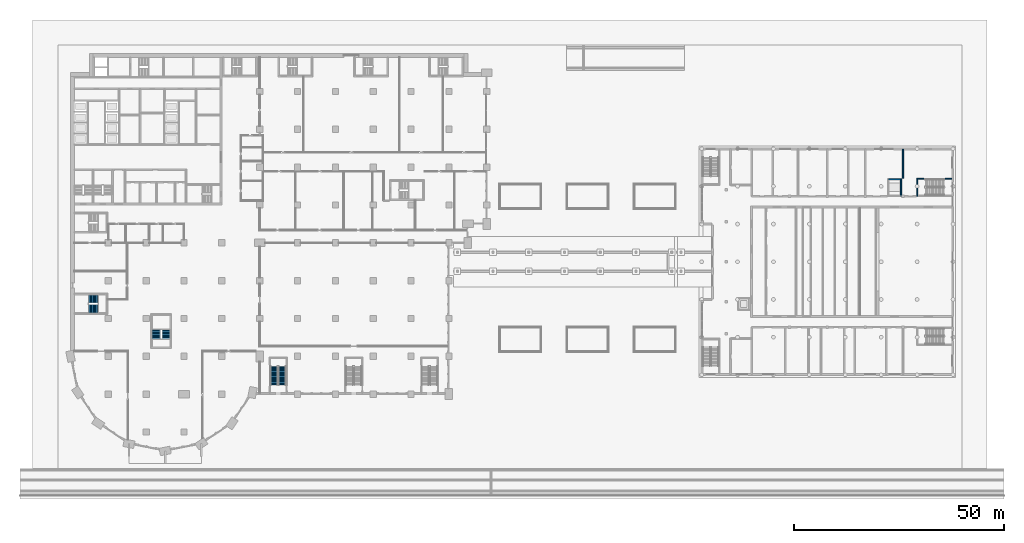
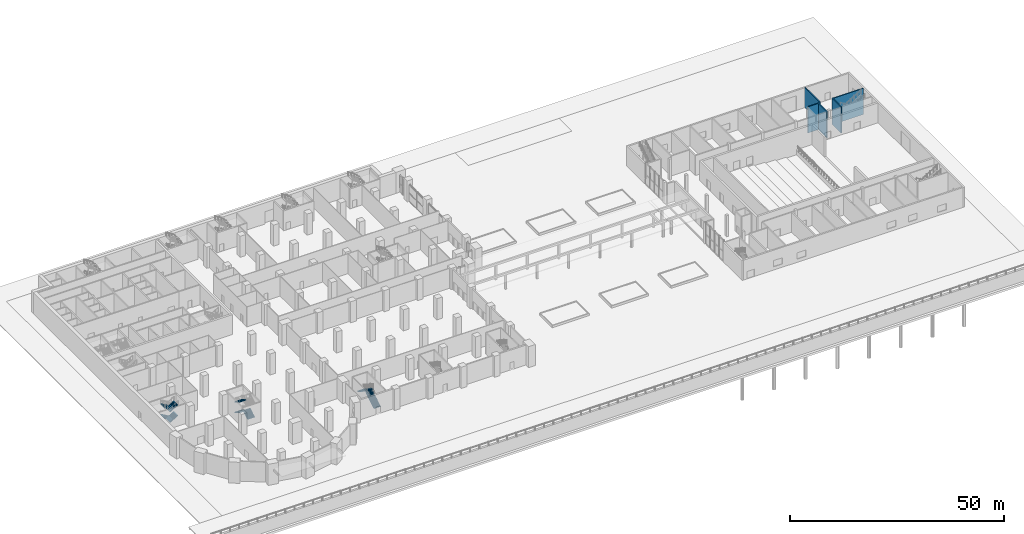
# One storey, part 28 of 47: 9 stair flights, 5 walls, 3 elements without a shape of their own.
"""IFC4 building model written with IfcOpenShell, lengths in metres."""

from ifc_helpers import new_model, si_unit, direction, frame, frame_2d, origin, place, context, subcontext, project, spatial, polyline, rectangle, outline, extrude, material, layer, layer_set, type_object, element, aggregate, save


model = new_model("IFC4")

# Units and contexts
model_context = context("Model", 3, precision=1e-05, world=origin(), true_north=direction((0.0, 1.0)))
body_context = subcontext(model_context, "Body", "Model", "MODEL_VIEW")
ifc_project = project(units=[si_unit("LENGTHUNIT", "METRE"), si_unit("AREAUNIT", "SQUARE_METRE"), si_unit("VOLUMEUNIT", "CUBIC_METRE"), si_unit("PLANEANGLEUNIT", "RADIAN"), si_unit("MASSUNIT", "GRAM", prefix="KILO")], contexts=[model_context])

# Site, building, storey
site_placement = place(None, origin())
site = spatial("IfcSite", under=ifc_project, at=site_placement, CompositionType="ELEMENT")
building_placement = place(site_placement, origin())
building = spatial("IfcBuilding", under=site, at=building_placement, Name="Hunhe Ridgeline Campus", CompositionType="ELEMENT")
storey_placement = place(building_placement, origin())
storey = spatial("IfcBuildingStorey", under=building, at=storey_placement, Name="L00", CompositionType="ELEMENT", Elevation=0.0)

# Walls
ifc_material_1 = material(Name="Plastered blockwork", Category="masonry")
ifc_layer_1 = layer(ifc_material_1, 0.300048828125)
ifc_layer_set_1 = layer_set([ifc_layer_1], Name="Hall blockwork partition 300")
wall_type_1 = type_object("IfcWallType", Name="Hall blockwork partition 300", PredefinedType="PARTITIONING", material=ifc_layer_set_1)
wall_1_placement = place(storey_placement, frame((198.0, 69.3798828125, 0.0), z_axis=(0.0, 0.0, 1.0), x_axis=(0.0, 1.0, 0.0)))
element("IfcWall", 1, at=wall_1_placement, inside=storey, type_object=wall_type_1, Name="L00 partition", PredefinedType="PARTITIONING", context=body_context, shape_type="SweptSolid", body=[
    extrude(rectangle(XDim=6.89013671875, YDim=0.300048828125, at=frame_2d((3.445068359375, 0.0))), origin(), (0.0, 0.0, 1.0), 5.64990234375),
])
ifc_material_2 = material(Name="Concrete C40", Category="concrete")
ifc_layer_2 = layer(ifc_material_2, 0.25)
ifc_layer_set_2 = layer_set([ifc_layer_2], Name="Hall shaft wall 250 C40")
wall_type_2 = type_object("IfcWallType", Name="Hall shaft wall 250 C40", PredefinedType="SOLIDWALL", material=ifc_layer_set_2)
wall_2_placement = place(storey_placement, frame((201.375, 65.10009765625, -1.800048828125), z_axis=(0.0, 0.0, 1.0), x_axis=(0.0, 1.0, 0.0)))
element("IfcWall", 2, at=wall_2_placement, inside=storey, type_object=wall_type_2, Name="L00 stair HS4 shaft wall", PredefinedType="SOLIDWALL", context=body_context, shape_type="SweptSolid", body=[
    extrude(rectangle(XDim=4.25, YDim=0.25, at=frame_2d((2.125, 0.0))), origin(), (0.0, 0.0, 1.0), 7.449951171875),
])
wall_3_placement = place(storey_placement, frame((201.5, 69.22509765625, -1.800048828125), z_axis=(0.0, 0.0, 1.0), x_axis=(1.0, 0.0, 0.0)))
element("IfcWall", 3, at=wall_3_placement, inside=storey, type_object=wall_type_2, Name="L00 stair HS4 shaft wall", PredefinedType="SOLIDWALL", context=body_context, shape_type="SweptSolid", body=[
    extrude(rectangle(XDim=8.10009765625, YDim=0.25, at=frame_2d((4.050048828125, 0.0))), origin(), (0.0, 0.0, 1.0), 7.449951171875),
])
wall_4_placement = place(storey_placement, frame((197.52490234375, 69.25, -1.800048828125), z_axis=(0.0, 0.0, 1.0), x_axis=(0.0, -1.0, 0.0)))
element("IfcWall", 4, at=wall_4_placement, inside=storey, type_object=wall_type_2, Name="L00 lift HL2 shaft wall", PredefinedType="SOLIDWALL", context=body_context, shape_type="SweptSolid", body=[
    extrude(rectangle(XDim=4.14990234375, YDim=0.25, at=frame_2d((2.074951171875, 0.0))), origin(), (0.0, 0.0, 1.0), 7.449951171875),
])
wall_5_placement = place(storey_placement, frame((194.60009765625, 69.125, -1.800048828125), z_axis=(0.0, 0.0, 1.0), x_axis=(1.0, 0.0, 0.0)))
element("IfcWall", 5, at=wall_5_placement, inside=storey, type_object=wall_type_2, Name="L00 lift HL2 shaft wall", PredefinedType="SOLIDWALL", context=body_context, shape_type="SweptSolid", body=[
    extrude(rectangle(XDim=2.7998046875, YDim=0.25, at=frame_2d((1.39990234375, 0.0))), origin(), (0.0, 0.0, 1.0), 7.449951171875),
])

# Stair, stair flights
stair_type_1 = type_object("IfcStairType", Name="Podium exit stair 1800", PredefinedType="HALF_TURN_STAIR", material=ifc_material_2)
stair_1_placement = place(storey_placement, origin())
stair_1 = element("IfcStair", 6, at=stair_1_placement, inside=storey, type_object=stair_type_1, Name="L00 podium stair PS1", PredefinedType="HALF_TURN_STAIR")
stair_flight_type_1 = type_object("IfcStairFlightType", Name="Podium stair flight 1800", PredefinedType="STRAIGHT", material=ifc_material_2)
stair_flight_1_placement = place(storey_placement, frame((50.35009765625, 20.199951171875, 0.0), z_axis=(0.0, 0.0, 1.0), x_axis=(0.0, 1.0, 0.0)))
stair_flight_1 = element("IfcStairFlight", 7, at=stair_flight_1_placement, type_object=stair_flight_type_1, Name="PS1 flight 1", NumberOfRisers=18, NumberOfTreads=17, PredefinedType="STRAIGHT", RiserHeight=0.166666667, TreadLength=0.26, context=body_context, shape_type="SweptSolid", body=[
    extrude(outline(polyline([(0.0, 0.0), (0.0, 0.166748046875), (0.260009765625, 0.166748046875), (0.260009765625, 0.333251953125), (0.52001953125, 0.333251953125), (0.52001953125, 0.5), (0.780029296875, 0.5), (0.780029296875, 0.666748046875), (1.0400390625, 0.666748046875), (1.0400390625, 0.833251953125), (1.300048828125, 0.833251953125), (1.300048828125, 1.0), (1.56005859375, 1.0), (1.56005859375, 1.166748046875), (1.820068359375, 1.166748046875), (1.820068359375, 1.333251953125), (2.080078125, 1.333251953125), (2.080078125, 1.5), (2.340087890625, 1.5), (2.340087890625, 1.666748046875), (2.60009765625, 1.666748046875), (2.60009765625, 1.833251953125), (2.860107421875, 1.833251953125), (2.860107421875, 2.0), (3.1201171875, 2.0), (3.1201171875, 2.166748046875), (3.3798828125, 2.166748046875), (3.3798828125, 2.333251953125), (3.639892578125, 2.333251953125), (3.639892578125, 2.5), (3.89990234375, 2.5), (3.89990234375, 2.666748046875), (4.159912109375, 2.666748046875), (4.159912109375, 2.833251953125), (4.419921875, 2.833251953125), (4.419921875, 3.0), (4.419921875, 2.6552734375), (0.27783203125, 0.0), (0.0, 0.0)])), frame((0.0, 0.89990234375, 0.0), z_axis=(0.0, -1.0, 0.0), x_axis=(1.0, 0.0, 0.0)), (0.0, 0.0, 1.0), 1.800048828125),
])
stair_flight_2_placement = place(storey_placement, frame((48.39990234375, 24.6201171875, 3.0), z_axis=(0.0, 0.0, 1.0), x_axis=(0.0, -1.0, 0.0)))
stair_flight_2 = element("IfcStairFlight", 8, at=stair_flight_2_placement, type_object=stair_flight_type_1, Name="PS1 flight 2", NumberOfRisers=18, NumberOfTreads=17, PredefinedType="STRAIGHT", RiserHeight=0.166666667, TreadLength=0.26, context=body_context, shape_type="SweptSolid", body=[
    extrude(outline(polyline([(0.0, 0.0), (0.0, 0.166748046875), (0.260009765625, 0.166748046875), (0.260009765625, 0.333251953125), (0.52001953125, 0.333251953125), (0.52001953125, 0.5), (0.780029296875, 0.5), (0.780029296875, 0.666748046875), (1.0400390625, 0.666748046875), (1.0400390625, 0.833251953125), (1.300048828125, 0.833251953125), (1.300048828125, 1.0), (1.56005859375, 1.0), (1.56005859375, 1.166748046875), (1.820068359375, 1.166748046875), (1.820068359375, 1.333251953125), (2.080078125, 1.333251953125), (2.080078125, 1.5), (2.340087890625, 1.5), (2.340087890625, 1.666748046875), (2.60009765625, 1.666748046875), (2.60009765625, 1.833251953125), (2.860107421875, 1.833251953125), (2.860107421875, 2.0), (3.1201171875, 2.0), (3.1201171875, 2.166748046875), (3.3798828125, 2.166748046875), (3.3798828125, 2.333251953125), (3.639892578125, 2.333251953125), (3.639892578125, 2.5), (3.89990234375, 2.5), (3.89990234375, 2.666748046875), (4.159912109375, 2.666748046875), (4.159912109375, 2.833251953125), (4.419921875, 2.833251953125), (4.419921875, 3.0), (4.419921875, 2.6552734375), (0.27783203125, 0.0), (0.0, 0.0)])), frame((0.0, 0.89990234375, 0.0), z_axis=(0.0, -1.0, 0.0), x_axis=(1.0, 0.0, 0.0)), (0.0, 0.0, 1.0), 1.800048828125),
])
aggregate(stair_1, [stair_flight_1, stair_flight_2])

stair_type_2 = type_object("IfcStairType", Name="Reinforced concrete dog-leg stair 1950 Concrete C40", PredefinedType="HALF_TURN_STAIR", material=ifc_material_2)
stair_2_placement = place(storey_placement, origin())
stair_2 = element("IfcStair", 9, at=stair_2_placement, inside=storey, type_object=stair_type_2, Name="L00 W3", PredefinedType="HALF_TURN_STAIR")
stair_flight_type_2 = type_object("IfcStairFlightType", Name="Reinforced concrete stair flight 1950 Concrete C40", PredefinedType="STRAIGHT", material=ifc_material_2)
stair_flight_3_placement = place(storey_placement, frame((22.72509765625, 31.14990234375, 0.0), z_axis=(0.0, 0.0, 1.0), x_axis=(0.0, 1.0, 0.0)))
stair_flight_3 = element("IfcStairFlight", 10, at=stair_flight_3_placement, type_object=stair_flight_type_2, Name="ST9 flight 1", NumberOfRisers=9, NumberOfTreads=8, PredefinedType="STRAIGHT", RiserHeight=0.166666667, TreadLength=0.28, context=body_context, shape_type="SweptSolid", body=[
    extrude(outline(polyline([(0.0, 0.0), (0.0, 0.166748046875), (0.280029296875, 0.166748046875), (0.280029296875, 0.333251953125), (0.56005859375, 0.333251953125), (0.56005859375, 0.5), (0.840087890625, 0.5), (0.840087890625, 0.666748046875), (1.1201171875, 0.666748046875), (1.1201171875, 0.833251953125), (1.39990234375, 0.833251953125), (1.39990234375, 1.0), (1.679931640625, 1.0), (1.679931640625, 1.166748046875), (1.9599609375, 1.166748046875), (1.9599609375, 1.333251953125), (2.239990234375, 1.333251953125), (2.239990234375, 1.5), (2.239990234375, 1.158935546875), (0.29296875, 0.0), (0.0, 0.0)])), frame((0.0, 0.97509765625, 0.0), z_axis=(0.0, -1.0, 0.0), x_axis=(1.0, 0.0, 0.0)), (0.0, 0.0, 1.0), 1.949951171875),
    extrude(outline(polyline([(0.030029296875, 0.030029296875), (0.030029296875, 0.13671875), (0.31005859375, 0.13671875), (0.31005859375, 0.30322265625), (0.590087890625, 0.30322265625), (0.590087890625, 0.469970703125), (0.8701171875, 0.469970703125), (0.8701171875, 0.63671875), (1.14990234375, 0.63671875), (1.14990234375, 0.80322265625), (1.429931640625, 0.80322265625), (1.429931640625, 0.969970703125), (1.7099609375, 0.969970703125), (1.7099609375, 1.13671875), (1.989990234375, 1.13671875), (1.989990234375, 1.30322265625), (2.2099609375, 1.30322265625), (2.2099609375, 1.17578125), (0.284912109375, 0.030029296875), (0.030029296875, 0.030029296875)])), frame((0.0, -0.070068359375, 0.0), z_axis=(0.0, -1.0, 0.0), x_axis=(1.0, 0.0, 0.0)), (0.0, 0.0, 1.0), 0.019775390625),
    extrude(outline(polyline([(0.030029296875, 0.030029296875), (0.030029296875, 0.13671875), (0.31005859375, 0.13671875), (0.31005859375, 0.30322265625), (0.590087890625, 0.30322265625), (0.590087890625, 0.469970703125), (0.8701171875, 0.469970703125), (0.8701171875, 0.63671875), (1.14990234375, 0.63671875), (1.14990234375, 0.80322265625), (1.429931640625, 0.80322265625), (1.429931640625, 0.969970703125), (1.7099609375, 0.969970703125), (1.7099609375, 1.13671875), (1.989990234375, 1.13671875), (1.989990234375, 1.30322265625), (2.2099609375, 1.30322265625), (2.2099609375, 1.17578125), (0.284912109375, 0.030029296875), (0.030029296875, 0.030029296875)])), frame((0.0, 0.010009765625, 0.0), z_axis=(0.0, -1.0, 0.0), x_axis=(1.0, 0.0, 0.0)), (0.0, 0.0, 1.0), 0.019775390625),
    extrude(outline(polyline([(0.030029296875, 0.030029296875), (0.030029296875, 0.13671875), (0.31005859375, 0.13671875), (0.31005859375, 0.30322265625), (0.590087890625, 0.30322265625), (0.590087890625, 0.469970703125), (0.8701171875, 0.469970703125), (0.8701171875, 0.63671875), (1.14990234375, 0.63671875), (1.14990234375, 0.80322265625), (1.429931640625, 0.80322265625), (1.429931640625, 0.969970703125), (1.7099609375, 0.969970703125), (1.7099609375, 1.13671875), (1.989990234375, 1.13671875), (1.989990234375, 1.30322265625), (2.2099609375, 1.30322265625), (2.2099609375, 1.17578125), (0.284912109375, 0.030029296875), (0.030029296875, 0.030029296875)])), frame((0.0, 0.090087890625, 0.0), z_axis=(0.0, -1.0, 0.0), x_axis=(1.0, 0.0, 0.0)), (0.0, 0.0, 1.0), 0.019775390625),
])
stair_flight_4_placement = place(storey_placement, frame((20.375, 33.389892578125, 1.5), z_axis=(0.0, 0.0, 1.0), x_axis=(0.0, -1.0, 0.0)))
stair_flight_4 = element("IfcStairFlight", 11, at=stair_flight_4_placement, type_object=stair_flight_type_2, Name="ST9 flight 2", NumberOfRisers=9, NumberOfTreads=8, PredefinedType="STRAIGHT", RiserHeight=0.166666667, TreadLength=0.28, context=body_context, shape_type="SweptSolid", body=[
    extrude(outline(polyline([(0.0, 0.0), (0.0, 0.166748046875), (0.280029296875, 0.166748046875), (0.280029296875, 0.333251953125), (0.56005859375, 0.333251953125), (0.56005859375, 0.5), (0.840087890625, 0.5), (0.840087890625, 0.666748046875), (1.1201171875, 0.666748046875), (1.1201171875, 0.833251953125), (1.39990234375, 0.833251953125), (1.39990234375, 1.0), (1.679931640625, 1.0), (1.679931640625, 1.166748046875), (1.9599609375, 1.166748046875), (1.9599609375, 1.333251953125), (2.239990234375, 1.333251953125), (2.239990234375, 1.5), (2.239990234375, 1.158935546875), (0.29296875, 0.0), (0.0, 0.0)])), frame((0.0, 0.97509765625, 0.0), z_axis=(0.0, -1.0, 0.0), x_axis=(1.0, 0.0, 0.0)), (0.0, 0.0, 1.0), 1.949951171875),
    extrude(outline(polyline([(0.030029296875, 0.030029296875), (0.030029296875, 0.13671875), (0.31005859375, 0.13671875), (0.31005859375, 0.30322265625), (0.590087890625, 0.30322265625), (0.590087890625, 0.469970703125), (0.8701171875, 0.469970703125), (0.8701171875, 0.63671875), (1.14990234375, 0.63671875), (1.14990234375, 0.80322265625), (1.429931640625, 0.80322265625), (1.429931640625, 0.969970703125), (1.7099609375, 0.969970703125), (1.7099609375, 1.13671875), (1.989990234375, 1.13671875), (1.989990234375, 1.30322265625), (2.2099609375, 1.30322265625), (2.2099609375, 1.17578125), (0.284912109375, 0.030029296875), (0.030029296875, 0.030029296875)])), frame((0.0, -0.070068359375, 0.0), z_axis=(0.0, -1.0, 0.0), x_axis=(1.0, 0.0, 0.0)), (0.0, 0.0, 1.0), 0.019775390625),
    extrude(outline(polyline([(0.030029296875, 0.030029296875), (0.030029296875, 0.13671875), (0.31005859375, 0.13671875), (0.31005859375, 0.30322265625), (0.590087890625, 0.30322265625), (0.590087890625, 0.469970703125), (0.8701171875, 0.469970703125), (0.8701171875, 0.63671875), (1.14990234375, 0.63671875), (1.14990234375, 0.80322265625), (1.429931640625, 0.80322265625), (1.429931640625, 0.969970703125), (1.7099609375, 0.969970703125), (1.7099609375, 1.13671875), (1.989990234375, 1.13671875), (1.989990234375, 1.30322265625), (2.2099609375, 1.30322265625), (2.2099609375, 1.17578125), (0.284912109375, 0.030029296875), (0.030029296875, 0.030029296875)])), frame((0.0, 0.010009765625, 0.0), z_axis=(0.0, -1.0, 0.0), x_axis=(1.0, 0.0, 0.0)), (0.0, 0.0, 1.0), 0.019775390625),
    extrude(outline(polyline([(0.030029296875, 0.030029296875), (0.030029296875, 0.13671875), (0.31005859375, 0.13671875), (0.31005859375, 0.30322265625), (0.590087890625, 0.30322265625), (0.590087890625, 0.469970703125), (0.8701171875, 0.469970703125), (0.8701171875, 0.63671875), (1.14990234375, 0.63671875), (1.14990234375, 0.80322265625), (1.429931640625, 0.80322265625), (1.429931640625, 0.969970703125), (1.7099609375, 0.969970703125), (1.7099609375, 1.13671875), (1.989990234375, 1.13671875), (1.989990234375, 1.30322265625), (2.2099609375, 1.30322265625), (2.2099609375, 1.17578125), (0.284912109375, 0.030029296875), (0.030029296875, 0.030029296875)])), frame((0.0, 0.090087890625, 0.0), z_axis=(0.0, -1.0, 0.0), x_axis=(1.0, 0.0, 0.0)), (0.0, 0.0, 1.0), 0.019775390625),
])
stair_flight_5_placement = place(storey_placement, frame((20.375, 33.389892578125, 4.5), z_axis=(0.0, 0.0, 1.0), x_axis=(0.0, -1.0, 0.0)))
stair_flight_5 = element("IfcStairFlight", 12, at=stair_flight_5_placement, type_object=stair_flight_type_2, Name="ST9 flight 4", NumberOfRisers=9, NumberOfTreads=8, PredefinedType="STRAIGHT", RiserHeight=0.166666667, TreadLength=0.28, context=body_context, shape_type="SweptSolid", body=[
    extrude(outline(polyline([(0.0, 0.0), (0.0, 0.166748046875), (0.280029296875, 0.166748046875), (0.280029296875, 0.333251953125), (0.56005859375, 0.333251953125), (0.56005859375, 0.5), (0.840087890625, 0.5), (0.840087890625, 0.666748046875), (1.1201171875, 0.666748046875), (1.1201171875, 0.833251953125), (1.39990234375, 0.833251953125), (1.39990234375, 1.0), (1.679931640625, 1.0), (1.679931640625, 1.166748046875), (1.9599609375, 1.166748046875), (1.9599609375, 1.333251953125), (2.239990234375, 1.333251953125), (2.239990234375, 1.5), (2.239990234375, 1.158935546875), (0.29296875, 0.0), (0.0, 0.0)])), frame((0.0, 0.97509765625, 0.0), z_axis=(0.0, -1.0, 0.0), x_axis=(1.0, 0.0, 0.0)), (0.0, 0.0, 1.0), 1.949951171875),
    extrude(outline(polyline([(0.030029296875, 0.030029296875), (0.030029296875, 0.13671875), (0.31005859375, 0.13671875), (0.31005859375, 0.30322265625), (0.590087890625, 0.30322265625), (0.590087890625, 0.469970703125), (0.8701171875, 0.469970703125), (0.8701171875, 0.63671875), (1.14990234375, 0.63671875), (1.14990234375, 0.80322265625), (1.429931640625, 0.80322265625), (1.429931640625, 0.969970703125), (1.7099609375, 0.969970703125), (1.7099609375, 1.13671875), (1.989990234375, 1.13671875), (1.989990234375, 1.30322265625), (2.2099609375, 1.30322265625), (2.2099609375, 1.17578125), (0.284912109375, 0.030029296875), (0.030029296875, 0.030029296875)])), frame((0.0, -0.070068359375, 0.0), z_axis=(0.0, -1.0, 0.0), x_axis=(1.0, 0.0, 0.0)), (0.0, 0.0, 1.0), 0.019775390625),
    extrude(outline(polyline([(0.030029296875, 0.030029296875), (0.030029296875, 0.13671875), (0.31005859375, 0.13671875), (0.31005859375, 0.30322265625), (0.590087890625, 0.30322265625), (0.590087890625, 0.469970703125), (0.8701171875, 0.469970703125), (0.8701171875, 0.63671875), (1.14990234375, 0.63671875), (1.14990234375, 0.80322265625), (1.429931640625, 0.80322265625), (1.429931640625, 0.969970703125), (1.7099609375, 0.969970703125), (1.7099609375, 1.13671875), (1.989990234375, 1.13671875), (1.989990234375, 1.30322265625), (2.2099609375, 1.30322265625), (2.2099609375, 1.17578125), (0.284912109375, 0.030029296875), (0.030029296875, 0.030029296875)])), frame((0.0, 0.010009765625, 0.0), z_axis=(0.0, -1.0, 0.0), x_axis=(1.0, 0.0, 0.0)), (0.0, 0.0, 1.0), 0.019775390625),
    extrude(outline(polyline([(0.030029296875, 0.030029296875), (0.030029296875, 0.13671875), (0.31005859375, 0.13671875), (0.31005859375, 0.30322265625), (0.590087890625, 0.30322265625), (0.590087890625, 0.469970703125), (0.8701171875, 0.469970703125), (0.8701171875, 0.63671875), (1.14990234375, 0.63671875), (1.14990234375, 0.80322265625), (1.429931640625, 0.80322265625), (1.429931640625, 0.969970703125), (1.7099609375, 0.969970703125), (1.7099609375, 1.13671875), (1.989990234375, 1.13671875), (1.989990234375, 1.30322265625), (2.2099609375, 1.30322265625), (2.2099609375, 1.17578125), (0.284912109375, 0.030029296875), (0.030029296875, 0.030029296875)])), frame((0.0, 0.090087890625, 0.0), z_axis=(0.0, -1.0, 0.0), x_axis=(1.0, 0.0, 0.0)), (0.0, 0.0, 1.0), 0.019775390625),
])
aggregate(stair_2, [stair_flight_3, stair_flight_4, stair_flight_5])

stair_3_placement = place(storey_placement, origin())
stair_3 = element("IfcStair", 13, at=stair_3_placement, inside=storey, type_object=stair_type_2, Name="L00 W1", PredefinedType="HALF_TURN_STAIR")
stair_flight_6_placement = place(storey_placement, frame((6.550048828125, 40.675048828125, 0.0), z_axis=(0.0, 0.0, 1.0), x_axis=(-1.0, 0.0, 0.0)))
stair_flight_6 = element("IfcStairFlight", 14, at=stair_flight_6_placement, type_object=stair_flight_type_2, Name="ST11 flight 1", NumberOfRisers=9, NumberOfTreads=8, PredefinedType="STRAIGHT", RiserHeight=0.166666667, TreadLength=0.28, context=body_context, shape_type="SweptSolid", body=[
    extrude(outline(polyline([(0.0, 0.0), (0.0, 0.166748046875), (0.280029296875, 0.166748046875), (0.280029296875, 0.333251953125), (0.56005859375, 0.333251953125), (0.56005859375, 0.5), (0.840087890625, 0.5), (0.840087890625, 0.666748046875), (1.1201171875, 0.666748046875), (1.1201171875, 0.833251953125), (1.39990234375, 0.833251953125), (1.39990234375, 1.0), (1.679931640625, 1.0), (1.679931640625, 1.166748046875), (1.9599609375, 1.166748046875), (1.9599609375, 1.333251953125), (2.239990234375, 1.333251953125), (2.239990234375, 1.5), (2.239990234375, 1.158935546875), (0.29296875, 0.0), (0.0, 0.0)])), frame((0.0, 0.97509765625, 0.0), z_axis=(0.0, -1.0, 0.0), x_axis=(1.0, 0.0, 0.0)), (0.0, 0.0, 1.0), 1.949951171875),
    extrude(outline(polyline([(0.030029296875, 0.030029296875), (0.030029296875, 0.13671875), (0.31005859375, 0.13671875), (0.31005859375, 0.30322265625), (0.590087890625, 0.30322265625), (0.590087890625, 0.469970703125), (0.8701171875, 0.469970703125), (0.8701171875, 0.63671875), (1.14990234375, 0.63671875), (1.14990234375, 0.80322265625), (1.429931640625, 0.80322265625), (1.429931640625, 0.969970703125), (1.7099609375, 0.969970703125), (1.7099609375, 1.13671875), (1.989990234375, 1.13671875), (1.989990234375, 1.30322265625), (2.2099609375, 1.30322265625), (2.2099609375, 1.17578125), (0.284912109375, 0.030029296875), (0.030029296875, 0.030029296875)])), frame((0.0, -0.070068359375, 0.0), z_axis=(0.0, -1.0, 0.0), x_axis=(1.0, 0.0, 0.0)), (0.0, 0.0, 1.0), 0.019775390625),
    extrude(outline(polyline([(0.030029296875, 0.030029296875), (0.030029296875, 0.13671875), (0.31005859375, 0.13671875), (0.31005859375, 0.30322265625), (0.590087890625, 0.30322265625), (0.590087890625, 0.469970703125), (0.8701171875, 0.469970703125), (0.8701171875, 0.63671875), (1.14990234375, 0.63671875), (1.14990234375, 0.80322265625), (1.429931640625, 0.80322265625), (1.429931640625, 0.969970703125), (1.7099609375, 0.969970703125), (1.7099609375, 1.13671875), (1.989990234375, 1.13671875), (1.989990234375, 1.30322265625), (2.2099609375, 1.30322265625), (2.2099609375, 1.17578125), (0.284912109375, 0.030029296875), (0.030029296875, 0.030029296875)])), frame((0.0, 0.010009765625, 0.0), z_axis=(0.0, -1.0, 0.0), x_axis=(1.0, 0.0, 0.0)), (0.0, 0.0, 1.0), 0.019775390625),
    extrude(outline(polyline([(0.030029296875, 0.030029296875), (0.030029296875, 0.13671875), (0.31005859375, 0.13671875), (0.31005859375, 0.30322265625), (0.590087890625, 0.30322265625), (0.590087890625, 0.469970703125), (0.8701171875, 0.469970703125), (0.8701171875, 0.63671875), (1.14990234375, 0.63671875), (1.14990234375, 0.80322265625), (1.429931640625, 0.80322265625), (1.429931640625, 0.969970703125), (1.7099609375, 0.969970703125), (1.7099609375, 1.13671875), (1.989990234375, 1.13671875), (1.989990234375, 1.30322265625), (2.2099609375, 1.30322265625), (2.2099609375, 1.17578125), (0.284912109375, 0.030029296875), (0.030029296875, 0.030029296875)])), frame((0.0, 0.090087890625, 0.0), z_axis=(0.0, -1.0, 0.0), x_axis=(1.0, 0.0, 0.0)), (0.0, 0.0, 1.0), 0.019775390625),
])
stair_flight_7_placement = place(storey_placement, frame((4.31005859375, 38.324951171875, 1.5), z_axis=(0.0, 0.0, 1.0), x_axis=(1.0, 0.0, 0.0)))
stair_flight_7 = element("IfcStairFlight", 15, at=stair_flight_7_placement, type_object=stair_flight_type_2, Name="ST11 flight 2", NumberOfRisers=9, NumberOfTreads=8, PredefinedType="STRAIGHT", RiserHeight=0.166666667, TreadLength=0.28, context=body_context, shape_type="SweptSolid", body=[
    extrude(outline(polyline([(0.0, 0.0), (0.0, 0.166748046875), (0.280029296875, 0.166748046875), (0.280029296875, 0.333251953125), (0.56005859375, 0.333251953125), (0.56005859375, 0.5), (0.840087890625, 0.5), (0.840087890625, 0.666748046875), (1.1201171875, 0.666748046875), (1.1201171875, 0.833251953125), (1.39990234375, 0.833251953125), (1.39990234375, 1.0), (1.679931640625, 1.0), (1.679931640625, 1.166748046875), (1.9599609375, 1.166748046875), (1.9599609375, 1.333251953125), (2.239990234375, 1.333251953125), (2.239990234375, 1.5), (2.239990234375, 1.158935546875), (0.29296875, 0.0), (0.0, 0.0)])), frame((0.0, 0.97509765625, 0.0), z_axis=(0.0, -1.0, 0.0), x_axis=(1.0, 0.0, 0.0)), (0.0, 0.0, 1.0), 1.949951171875),
    extrude(outline(polyline([(0.030029296875, 0.030029296875), (0.030029296875, 0.13671875), (0.31005859375, 0.13671875), (0.31005859375, 0.30322265625), (0.590087890625, 0.30322265625), (0.590087890625, 0.469970703125), (0.8701171875, 0.469970703125), (0.8701171875, 0.63671875), (1.14990234375, 0.63671875), (1.14990234375, 0.80322265625), (1.429931640625, 0.80322265625), (1.429931640625, 0.969970703125), (1.7099609375, 0.969970703125), (1.7099609375, 1.13671875), (1.989990234375, 1.13671875), (1.989990234375, 1.30322265625), (2.2099609375, 1.30322265625), (2.2099609375, 1.17578125), (0.284912109375, 0.030029296875), (0.030029296875, 0.030029296875)])), frame((0.0, -0.070068359375, 0.0), z_axis=(0.0, -1.0, 0.0), x_axis=(1.0, 0.0, 0.0)), (0.0, 0.0, 1.0), 0.019775390625),
    extrude(outline(polyline([(0.030029296875, 0.030029296875), (0.030029296875, 0.13671875), (0.31005859375, 0.13671875), (0.31005859375, 0.30322265625), (0.590087890625, 0.30322265625), (0.590087890625, 0.469970703125), (0.8701171875, 0.469970703125), (0.8701171875, 0.63671875), (1.14990234375, 0.63671875), (1.14990234375, 0.80322265625), (1.429931640625, 0.80322265625), (1.429931640625, 0.969970703125), (1.7099609375, 0.969970703125), (1.7099609375, 1.13671875), (1.989990234375, 1.13671875), (1.989990234375, 1.30322265625), (2.2099609375, 1.30322265625), (2.2099609375, 1.17578125), (0.284912109375, 0.030029296875), (0.030029296875, 0.030029296875)])), frame((0.0, 0.010009765625, 0.0), z_axis=(0.0, -1.0, 0.0), x_axis=(1.0, 0.0, 0.0)), (0.0, 0.0, 1.0), 0.019775390625),
    extrude(outline(polyline([(0.030029296875, 0.030029296875), (0.030029296875, 0.13671875), (0.31005859375, 0.13671875), (0.31005859375, 0.30322265625), (0.590087890625, 0.30322265625), (0.590087890625, 0.469970703125), (0.8701171875, 0.469970703125), (0.8701171875, 0.63671875), (1.14990234375, 0.63671875), (1.14990234375, 0.80322265625), (1.429931640625, 0.80322265625), (1.429931640625, 0.969970703125), (1.7099609375, 0.969970703125), (1.7099609375, 1.13671875), (1.989990234375, 1.13671875), (1.989990234375, 1.30322265625), (2.2099609375, 1.30322265625), (2.2099609375, 1.17578125), (0.284912109375, 0.030029296875), (0.030029296875, 0.030029296875)])), frame((0.0, 0.090087890625, 0.0), z_axis=(0.0, -1.0, 0.0), x_axis=(1.0, 0.0, 0.0)), (0.0, 0.0, 1.0), 0.019775390625),
])
stair_flight_8_placement = place(storey_placement, frame((6.550048828125, 40.675048828125, 3.0), z_axis=(0.0, 0.0, 1.0), x_axis=(-1.0, 0.0, 0.0)))
stair_flight_8 = element("IfcStairFlight", 16, at=stair_flight_8_placement, type_object=stair_flight_type_2, Name="ST11 flight 3", NumberOfRisers=9, NumberOfTreads=8, PredefinedType="STRAIGHT", RiserHeight=0.166666667, TreadLength=0.28, context=body_context, shape_type="SweptSolid", body=[
    extrude(outline(polyline([(0.0, 0.0), (0.0, 0.166748046875), (0.280029296875, 0.166748046875), (0.280029296875, 0.333251953125), (0.56005859375, 0.333251953125), (0.56005859375, 0.5), (0.840087890625, 0.5), (0.840087890625, 0.666748046875), (1.1201171875, 0.666748046875), (1.1201171875, 0.833251953125), (1.39990234375, 0.833251953125), (1.39990234375, 1.0), (1.679931640625, 1.0), (1.679931640625, 1.166748046875), (1.9599609375, 1.166748046875), (1.9599609375, 1.333251953125), (2.239990234375, 1.333251953125), (2.239990234375, 1.5), (2.239990234375, 1.158935546875), (0.29296875, 0.0), (0.0, 0.0)])), frame((0.0, 0.97509765625, 0.0), z_axis=(0.0, -1.0, 0.0), x_axis=(1.0, 0.0, 0.0)), (0.0, 0.0, 1.0), 1.949951171875),
    extrude(outline(polyline([(0.030029296875, 0.030029296875), (0.030029296875, 0.13671875), (0.31005859375, 0.13671875), (0.31005859375, 0.30322265625), (0.590087890625, 0.30322265625), (0.590087890625, 0.469970703125), (0.8701171875, 0.469970703125), (0.8701171875, 0.63671875), (1.14990234375, 0.63671875), (1.14990234375, 0.80322265625), (1.429931640625, 0.80322265625), (1.429931640625, 0.969970703125), (1.7099609375, 0.969970703125), (1.7099609375, 1.13671875), (1.989990234375, 1.13671875), (1.989990234375, 1.30322265625), (2.2099609375, 1.30322265625), (2.2099609375, 1.17578125), (0.284912109375, 0.030029296875), (0.030029296875, 0.030029296875)])), frame((0.0, -0.070068359375, 0.0), z_axis=(0.0, -1.0, 0.0), x_axis=(1.0, 0.0, 0.0)), (0.0, 0.0, 1.0), 0.019775390625),
    extrude(outline(polyline([(0.030029296875, 0.030029296875), (0.030029296875, 0.13671875), (0.31005859375, 0.13671875), (0.31005859375, 0.30322265625), (0.590087890625, 0.30322265625), (0.590087890625, 0.469970703125), (0.8701171875, 0.469970703125), (0.8701171875, 0.63671875), (1.14990234375, 0.63671875), (1.14990234375, 0.80322265625), (1.429931640625, 0.80322265625), (1.429931640625, 0.969970703125), (1.7099609375, 0.969970703125), (1.7099609375, 1.13671875), (1.989990234375, 1.13671875), (1.989990234375, 1.30322265625), (2.2099609375, 1.30322265625), (2.2099609375, 1.17578125), (0.284912109375, 0.030029296875), (0.030029296875, 0.030029296875)])), frame((0.0, 0.010009765625, 0.0), z_axis=(0.0, -1.0, 0.0), x_axis=(1.0, 0.0, 0.0)), (0.0, 0.0, 1.0), 0.019775390625),
    extrude(outline(polyline([(0.030029296875, 0.030029296875), (0.030029296875, 0.13671875), (0.31005859375, 0.13671875), (0.31005859375, 0.30322265625), (0.590087890625, 0.30322265625), (0.590087890625, 0.469970703125), (0.8701171875, 0.469970703125), (0.8701171875, 0.63671875), (1.14990234375, 0.63671875), (1.14990234375, 0.80322265625), (1.429931640625, 0.80322265625), (1.429931640625, 0.969970703125), (1.7099609375, 0.969970703125), (1.7099609375, 1.13671875), (1.989990234375, 1.13671875), (1.989990234375, 1.30322265625), (2.2099609375, 1.30322265625), (2.2099609375, 1.17578125), (0.284912109375, 0.030029296875), (0.030029296875, 0.030029296875)])), frame((0.0, 0.090087890625, 0.0), z_axis=(0.0, -1.0, 0.0), x_axis=(1.0, 0.0, 0.0)), (0.0, 0.0, 1.0), 0.019775390625),
])
stair_flight_9_placement = place(storey_placement, frame((4.31005859375, 38.324951171875, 4.5), z_axis=(0.0, 0.0, 1.0), x_axis=(1.0, 0.0, 0.0)))
stair_flight_9 = element("IfcStairFlight", 17, at=stair_flight_9_placement, type_object=stair_flight_type_2, Name="ST11 flight 4", NumberOfRisers=9, NumberOfTreads=8, PredefinedType="STRAIGHT", RiserHeight=0.166666667, TreadLength=0.28, context=body_context, shape_type="SweptSolid", body=[
    extrude(outline(polyline([(0.0, 0.0), (0.0, 0.166748046875), (0.280029296875, 0.166748046875), (0.280029296875, 0.333251953125), (0.56005859375, 0.333251953125), (0.56005859375, 0.5), (0.840087890625, 0.5), (0.840087890625, 0.666748046875), (1.1201171875, 0.666748046875), (1.1201171875, 0.833251953125), (1.39990234375, 0.833251953125), (1.39990234375, 1.0), (1.679931640625, 1.0), (1.679931640625, 1.166748046875), (1.9599609375, 1.166748046875), (1.9599609375, 1.333251953125), (2.239990234375, 1.333251953125), (2.239990234375, 1.5), (2.239990234375, 1.158935546875), (0.29296875, 0.0), (0.0, 0.0)])), frame((0.0, 0.97509765625, 0.0), z_axis=(0.0, -1.0, 0.0), x_axis=(1.0, 0.0, 0.0)), (0.0, 0.0, 1.0), 1.949951171875),
    extrude(outline(polyline([(0.030029296875, 0.030029296875), (0.030029296875, 0.13671875), (0.31005859375, 0.13671875), (0.31005859375, 0.30322265625), (0.590087890625, 0.30322265625), (0.590087890625, 0.469970703125), (0.8701171875, 0.469970703125), (0.8701171875, 0.63671875), (1.14990234375, 0.63671875), (1.14990234375, 0.80322265625), (1.429931640625, 0.80322265625), (1.429931640625, 0.969970703125), (1.7099609375, 0.969970703125), (1.7099609375, 1.13671875), (1.989990234375, 1.13671875), (1.989990234375, 1.30322265625), (2.2099609375, 1.30322265625), (2.2099609375, 1.17578125), (0.284912109375, 0.030029296875), (0.030029296875, 0.030029296875)])), frame((0.0, -0.070068359375, 0.0), z_axis=(0.0, -1.0, 0.0), x_axis=(1.0, 0.0, 0.0)), (0.0, 0.0, 1.0), 0.019775390625),
    extrude(outline(polyline([(0.030029296875, 0.030029296875), (0.030029296875, 0.13671875), (0.31005859375, 0.13671875), (0.31005859375, 0.30322265625), (0.590087890625, 0.30322265625), (0.590087890625, 0.469970703125), (0.8701171875, 0.469970703125), (0.8701171875, 0.63671875), (1.14990234375, 0.63671875), (1.14990234375, 0.80322265625), (1.429931640625, 0.80322265625), (1.429931640625, 0.969970703125), (1.7099609375, 0.969970703125), (1.7099609375, 1.13671875), (1.989990234375, 1.13671875), (1.989990234375, 1.30322265625), (2.2099609375, 1.30322265625), (2.2099609375, 1.17578125), (0.284912109375, 0.030029296875), (0.030029296875, 0.030029296875)])), frame((0.0, 0.010009765625, 0.0), z_axis=(0.0, -1.0, 0.0), x_axis=(1.0, 0.0, 0.0)), (0.0, 0.0, 1.0), 0.019775390625),
    extrude(outline(polyline([(0.030029296875, 0.030029296875), (0.030029296875, 0.13671875), (0.31005859375, 0.13671875), (0.31005859375, 0.30322265625), (0.590087890625, 0.30322265625), (0.590087890625, 0.469970703125), (0.8701171875, 0.469970703125), (0.8701171875, 0.63671875), (1.14990234375, 0.63671875), (1.14990234375, 0.80322265625), (1.429931640625, 0.80322265625), (1.429931640625, 0.969970703125), (1.7099609375, 0.969970703125), (1.7099609375, 1.13671875), (1.989990234375, 1.13671875), (1.989990234375, 1.30322265625), (2.2099609375, 1.30322265625), (2.2099609375, 1.17578125), (0.284912109375, 0.030029296875), (0.030029296875, 0.030029296875)])), frame((0.0, 0.090087890625, 0.0), z_axis=(0.0, -1.0, 0.0), x_axis=(1.0, 0.0, 0.0)), (0.0, 0.0, 1.0), 0.019775390625),
])
aggregate(stair_3, [stair_flight_6, stair_flight_7, stair_flight_8, stair_flight_9])

save(model, "model.ifc")
